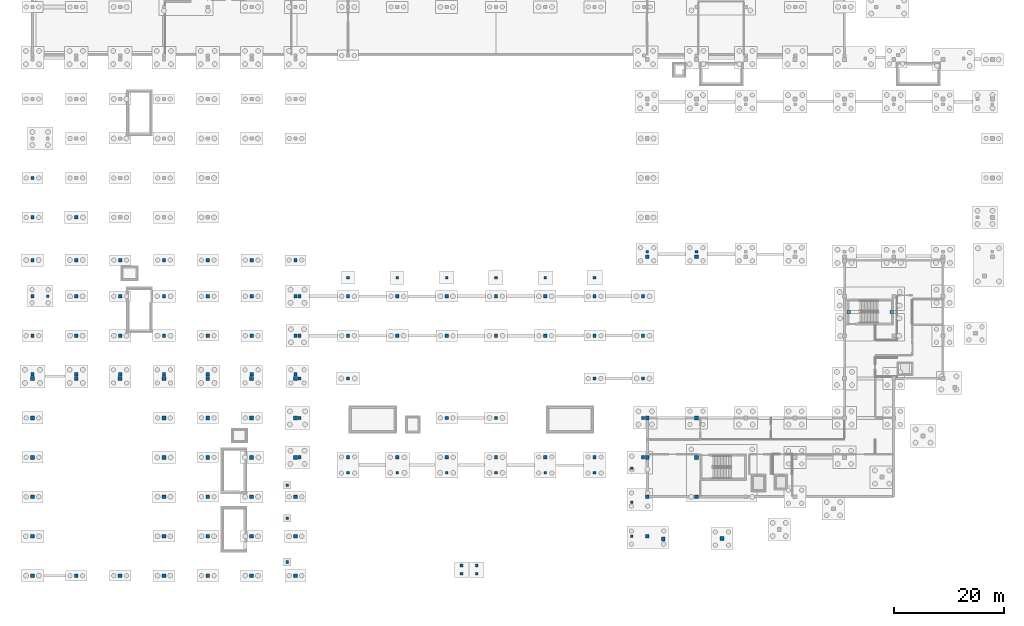
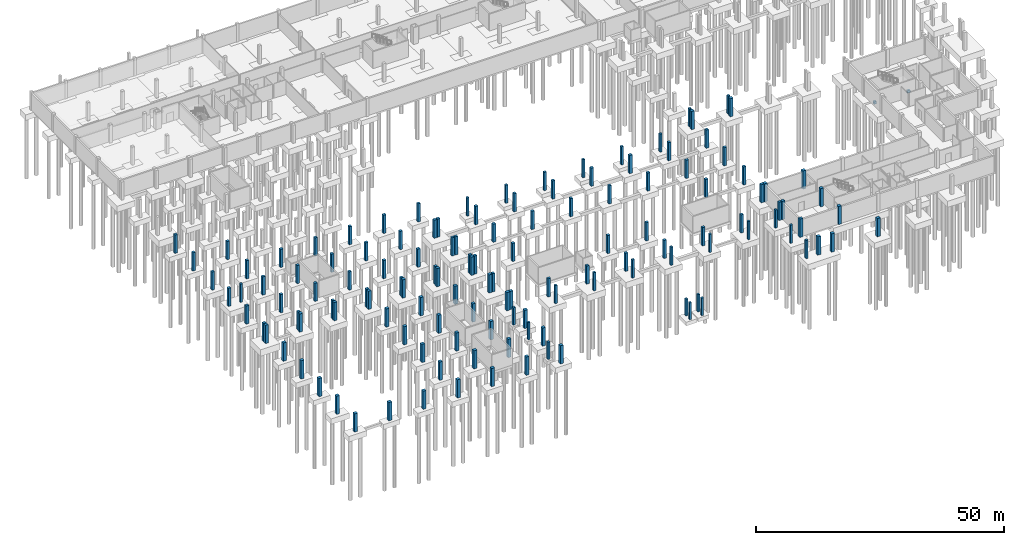
# One storey, part 13 of 36: 133 columns, 2 footings.
"""IFC4 building model written with IfcOpenShell, lengths in metres."""

import ifcopenshell
import ifcopenshell.guid

model = None  # the IFC model being written
_history = None  # IfcOwnerHistory: only IFC2X3 demands one
_inside = {}  # id of a spatial element -> (the spatial element, [elements in it])
_under = {}  # id of a project, library or spatial element -> (it, [spatial elements below it])
_declared = {}  # id of a project -> (the project, [libraries it declares])
_typed = {}  # id of a type object -> (the type object, [elements of that type])
_made_of = {}  # id of a material, layer set ... -> (it, [elements and type objects made of it])


def new_model(schema):
    """Start an empty IFC model of exactly this schema.

    Asked for "IFC4X3", IfcOpenShell would pick the latest addendum, in which some entities
    have other attributes; the version numbers below select the first issue.
    IFC2X3 requires an IfcOwnerHistory on every rooted entity: one is made here for all.
    """
    global model, _history
    if schema == "IFC4X3":
        model = ifcopenshell.file(schema_version=(4, 3, 0, 0))
    else:
        model = ifcopenshell.file(schema=schema)
    _inside.clear()
    _under.clear()
    _declared.clear()
    _typed.clear()
    _made_of.clear()
    _history = None
    if model.schema == "IFC2X3":
        org = make("IfcOrganization", Name="unknown")
        user = make(
            "IfcPersonAndOrganization",
            ThePerson=make("IfcPerson", FamilyName="unknown"),
            TheOrganization=org,
        )
        app = make(
            "IfcApplication",
            ApplicationDeveloper=org,
            Version="unknown",
            ApplicationFullName="unknown",
            ApplicationIdentifier="unknown",
        )
        _history = make(
            "IfcOwnerHistory",
            OwningUser=user,
            OwningApplication=app,
            ChangeAction="ADDED",
            CreationDate=0,
        )
    return model


def make(cls, **values):
    """One entity of the class cls with the attributes given. An attribute that is None is left unset."""
    return model.create_entity(
        cls, **{name: value for name, value in values.items() if value is not None}
    )


def rooted(cls, **values):
    """An entity with a GlobalId (a new one), such as an element, a storey or a relation."""
    return make(cls, GlobalId=ifcopenshell.guid.new(), OwnerHistory=_history, **values)


def si_unit(unit_type, name, prefix=None):
    """IfcSIUnit, for example si_unit("LENGTHUNIT", "METRE", prefix="MILLI")."""
    return make("IfcSIUnit", UnitType=unit_type, Prefix=prefix, Name=name)


def assignment(units):
    """IfcUnitAssignment: the units of a project."""
    return None if units is None else make("IfcUnitAssignment", Units=units)


def point(xyz):
    """IfcCartesianPoint."""
    return None if xyz is None else make("IfcCartesianPoint", Coordinates=xyz)


def direction(xyz):
    """IfcDirection."""
    return None if xyz is None else make("IfcDirection", DirectionRatios=xyz)


def frame(location, z_axis=None, x_axis=None):
    """IfcAxis2Placement3D, a coordinate frame: its origin and axes. An axis left out is left unset."""
    return make(
        "IfcAxis2Placement3D",
        Location=point(location),
        Axis=direction(z_axis),
        RefDirection=direction(x_axis),
    )


def frame_2d(location, x_axis=None):
    """IfcAxis2Placement2D, a coordinate frame in the plane: its origin and x axis."""
    return make(
        "IfcAxis2Placement2D", Location=point(location), RefDirection=direction(x_axis)
    )


def origin():
    """The frame at (0, 0, 0) with its axes left unset."""
    return frame((0.0, 0.0, 0.0))


def origin_2d():
    """The frame at (0, 0) in the plane with its x axis left unset."""
    return frame_2d((0.0, 0.0))


def place(relative_to, where):
    """IfcLocalPlacement: puts the frame where relative to a parent placement (None: the world)."""
    return make(
        "IfcLocalPlacement", PlacementRelTo=relative_to, RelativePlacement=where
    )


def context(
    kind, dimensions, precision=None, world=None, true_north=None, identifier=None
):
    """IfcGeometricRepresentationContext, for example the 3D "Model" context."""
    return make(
        "IfcGeometricRepresentationContext",
        ContextIdentifier=identifier,
        ContextType=kind,
        CoordinateSpaceDimension=dimensions,
        Precision=precision,
        WorldCoordinateSystem=world,
        TrueNorth=true_north,
    )


def subcontext(parent, identifier, kind, view, scale=None):
    """IfcGeometricRepresentationSubContext, for example "Body" below "Model"."""
    return make(
        "IfcGeometricRepresentationSubContext",
        ContextIdentifier=identifier,
        ContextType=kind,
        ParentContext=parent,
        TargetScale=scale,
        TargetView=view,
    )


def project(units=None, contexts=None):
    """IfcProject with its units and contexts."""
    return rooted(
        "IfcProject",
        Name="project",
        RepresentationContexts=contexts,
        UnitsInContext=assignment(units),
    )


def spatial(cls, under=None, at=None, **own):
    """A site, building, storey or space (cls), placed at a placement, below another one or the project."""
    s = rooted(cls, ObjectPlacement=at, **own)
    if under is not None:
        _under.setdefault(under.id(), (under, []))[1].append(s)
    return s


def profile(cls, at=None, kind="AREA", **sizes):
    """A parametric profile (cls). Its sizes go by their IFC names, for example OverallWidth=200.0."""
    return make(cls, ProfileType=kind, Position=at, **sizes)


def rectangle(**sizes):
    """IfcRectangleProfileDef."""
    return profile("IfcRectangleProfileDef", **sizes)


def extrude(swept, where, along, depth):
    """IfcExtrudedAreaSolid: the profile swept, set in the frame where, extruded along a direction by depth."""
    return make(
        "IfcExtrudedAreaSolid",
        SweptArea=swept,
        Position=where,
        ExtrudedDirection=direction(along),
        Depth=depth,
    )


def shape(context_of_items, identifier, shape_type, items):
    """IfcShapeRepresentation: the items that make up one representation, for example the "Body"."""
    return make(
        "IfcShapeRepresentation",
        ContextOfItems=context_of_items,
        RepresentationIdentifier=identifier,
        RepresentationType=shape_type,
        Items=items,
    )


def material(Name=None, Category=None):
    """IfcMaterial."""
    return make("IfcMaterial", Name=Name, Category=Category)


def layer(
    of_material, thickness, ventilated=None, Name=None, Category=None, Priority=None
):
    """IfcMaterialLayer: one layer of a wall or slab, of a material (None: an air gap)."""
    return make(
        "IfcMaterialLayer",
        Material=of_material,
        LayerThickness=thickness,
        IsVentilated=ventilated,
        Name=Name,
        Category=Category,
        Priority=Priority,
    )


def layer_set(layers, Name=None):
    """IfcMaterialLayerSet."""
    return make("IfcMaterialLayerSet", MaterialLayers=layers, LayerSetName=Name)


def material_profile(
    of_material, cross_section, Name=None, Category=None, Priority=None
):
    """IfcMaterialProfile: a cross section and its material."""
    return make(
        "IfcMaterialProfile",
        Name=Name,
        Material=of_material,
        Profile=cross_section,
        Priority=Priority,
        Category=Category,
    )


def profile_set(profiles, Name=None, composite=None):
    """IfcMaterialProfileSet."""
    return make(
        "IfcMaterialProfileSet",
        Name=Name,
        MaterialProfiles=profiles,
        CompositeProfile=composite,
    )


def made_of(thing, what):
    """Note that an element or type object is made of a material, layer set ...; save() writes the relation."""
    if what is not None:
        _made_of.setdefault(what.id(), (what, []))[1].append(thing)
    return thing


def type_object(cls, material=None, **own):
    """A type object (cls), such as IfcWallType, which elements share."""
    return made_of(rooted(cls, **own), material)


def element(
    cls,
    number,
    at=None,
    inside=None,
    cuts=None,
    type_object=None,
    material=None,
    context=None,
    identifier="Body",
    shape_type=None,
    held_by="IfcProductDefinitionShape",
    body=None,
    shapes=None,
    **own,
):
    """One element of the class cls, such as IfcWall. Its Tag is "e" and its number.

    at: its placement. inside: the storey or other place that contains it. cuts: it is an
    opening in that element (IfcRelVoidsElement). A single representation is given by context,
    identifier, shape_type and body (its items); several are given by shapes. held_by: the class
    of the entity that holds the representations. save() writes the other relations.
    """
    e = rooted(cls, Tag="e%d" % number, ObjectPlacement=at, **own)
    if body is not None:
        shapes = [shape(context, identifier, shape_type, body)]
    if shapes is not None:
        e.Representation = make(held_by, Representations=shapes)
    if inside is not None:
        _inside.setdefault(inside.id(), (inside, []))[1].append(e)
    if cuts is not None:
        rooted(
            "IfcRelVoidsElement", RelatingBuildingElement=cuts, RelatedOpeningElement=e
        )
    if type_object is not None:
        _typed.setdefault(type_object.id(), (type_object, []))[1].append(e)
    return made_of(e, material)


def aggregate(whole, parts):
    """IfcRelAggregates: a whole, such as a stair, and the parts it consists of."""
    return rooted("IfcRelAggregates", RelatingObject=whole, RelatedObjects=parts)


def save(model, path):
    """Write the relations noted so far, then the file.

    IfcRelAggregates (storeys below a building ...), IfcRelContainedInSpatialStructure (elements
    in a storey), IfcRelDefinesByType, IfcRelAssociatesMaterial and IfcRelDeclares: one each for
    every whole, place, type object, material and project.
    """
    for whole, parts in _under.values():
        aggregate(whole, parts)
    for where, things in _inside.values():
        rooted(
            "IfcRelContainedInSpatialStructure",
            RelatedElements=things,
            RelatingStructure=where,
        )
    for kind, things in _typed.values():
        rooted("IfcRelDefinesByType", RelatedObjects=things, RelatingType=kind)
    for what, things in _made_of.values():
        rooted("IfcRelAssociatesMaterial", RelatedObjects=things, RelatingMaterial=what)
    for by, libraries in _declared.values():
        rooted("IfcRelDeclares", RelatingContext=by, RelatedDefinitions=libraries)
    model.write(path)


model = new_model("IFC4")

# Units and contexts
model_context = context("Model", 3, precision=1e-05, world=origin(), true_north=direction((0.0, 1.0)))
body_context = subcontext(model_context, "Body", "Model", "MODEL_VIEW")
ifc_project = project(units=[si_unit("LENGTHUNIT", "METRE"), si_unit("AREAUNIT", "SQUARE_METRE"), si_unit("VOLUMEUNIT", "CUBIC_METRE"), si_unit("PLANEANGLEUNIT", "RADIAN"), si_unit("MASSUNIT", "GRAM", prefix="KILO")], contexts=[model_context])

# Site, building, storey
site_placement = place(None, origin())
site = spatial("IfcSite", under=ifc_project, at=site_placement, CompositionType="ELEMENT")
building_placement = place(site_placement, origin())
building = spatial("IfcBuilding", under=site, at=building_placement, Name="Chiffa Square Polytechnic", CompositionType="ELEMENT")
storey_placement = place(building_placement, frame((0.0, 0.0, -4.5)))
storey = spatial("IfcBuildingStorey", under=building, at=storey_placement, Name="B1", CompositionType="ELEMENT", Elevation=-4.5)

# Footings
ifc_material_1 = material(Name="Concrete C35/45", Category="concrete")
ifc_layer = layer(ifc_material_1, 0.60009765625, Name="Concrete C35/45")
ifc_layer_set = layer_set([ifc_layer], Name="Concrete C35/45")
footing_type = type_object("IfcFootingType", Name="FTG-PAD-620X484X600", PredefinedType="PAD_FOOTING", material=ifc_layer_set)
for number, where, z_axis, x_axis, name in (
    (1, (148.97998046875, 48.136962890625, -0.60009765625), (0.0, 0.0, 1.0), (1.0, 0.0, 0.0), "Core pad footing PFG-CORE-CORE-V1B-W1"),
    (2, (156.820068359375, 48.136962890625, -0.60009765625), (0.0, 0.0, 1.0), (1.0, 0.0, 0.0), "Core pad footing PFG-CORE-CORE-V1B-E1"),
):
    element("IfcFooting", number, at=place(storey_placement, frame(where, z_axis=z_axis, x_axis=x_axis)), inside=storey, type_object=footing_type, Name=name, PredefinedType="PAD_FOOTING", context=body_context, shape_type="SweptSolid", body=[
        extrude(rectangle(XDim=0.6201171875, YDim=0.48388671875, at=origin_2d()), origin(), (0.0, 0.0, 1.0), 0.60009765625),
    ])

# Columns
ifc_material_profile_1 = material_profile(ifc_material_1, rectangle(XDim=0.5, YDim=0.5, at=origin_2d()), Name="RC 500x500")
ifc_profile_set_1 = profile_set([ifc_material_profile_1], Name="Concrete C35/45")
column_type_1 = type_object("IfcColumnType", Name="COL-PIER-500", PredefinedType="PILASTER", material=ifc_profile_set_1)
for number, where, z_axis, x_axis, name in (
    (3, (57.60009765625, 54.39990234375, 0.0), (0.0, 0.0, 1.0), (1.0, 0.0, 0.0), "Courtyard pier CP-CY-01"),
    (4, (66.60009765625, 54.39990234375, 0.0), (0.0, 0.0, 1.0), (1.0, 0.0, 0.0), "Courtyard pier CP-CY-02"),
    (5, (75.60009765625, 54.39990234375, 0.0), (0.0, 0.0, 1.0), (1.0, 0.0, 0.0), "Courtyard pier CP-CY-03"),
    (6, (84.60009765625, 54.39990234375, 0.0), (0.0, 0.0, 1.0), (1.0, 0.0, 0.0), "Courtyard pier CP-CY-04"),
    (7, (93.60009765625, 54.39990234375, 0.0), (0.0, 0.0, 1.0), (1.0, 0.0, 0.0), "Courtyard pier CP-CY-05"),
    (8, (102.60009765625, 54.39990234375, 0.0), (0.0, 0.0, 1.0), (1.0, 0.0, 0.0), "Courtyard pier CP-CY-06"),
    (9, (57.60009765625, 18.800048828125, 0.0), (0.0, 0.0, 1.0), (1.0, 0.0, 0.0), "Civic square north portico pier CP-SQN-01"),
    (10, (66.60009765625, 18.800048828125, 0.0), (0.0, 0.0, 1.0), (1.0, 0.0, 0.0), "Civic square north portico pier CP-SQN-02"),
    (11, (75.60009765625, 18.800048828125, 0.0), (0.0, 0.0, 1.0), (1.0, 0.0, 0.0), "Civic square north portico pier CP-SQN-03"),
    (12, (84.60009765625, 18.800048828125, 0.0), (0.0, 0.0, 1.0), (1.0, 0.0, 0.0), "Civic square north portico pier CP-SQN-04"),
    (13, (93.60009765625, 18.800048828125, 0.0), (0.0, 0.0, 1.0), (1.0, 0.0, 0.0), "Civic square north portico pier CP-SQN-05"),
    (14, (102.60009765625, 18.800048828125, 0.0), (0.0, 0.0, 1.0), (1.0, 0.0, 0.0), "Civic square north portico pier CP-SQN-06"),
    (15, (109.39990234375, 7.199951171875, 0.0), (0.0, 0.0, 1.0), (1.0, 0.0, 0.0), "Civic square east portico pier CP-SQE-01"),
    (16, (109.39990234375, 13.39990234375, 0.0), (0.0, 0.0, 1.0), (1.0, 0.0, 0.0), "Civic square east portico pier CP-SQE-02"),
    (17, (109.39990234375, 19.60009765625, 0.0), (0.0, 0.0, 1.0), (1.0, 0.0, 0.0), "Civic square east portico pier CP-SQE-03"),
    (18, (2.800048828125, 51.0, 0.0), (0.0, 0.0, 1.0), (1.0, 0.0, 0.0), "Apron support pier CP-APR-B1-01"),
    (19, (112.199951171875, 59.14990234375, 0.0), (0.0, 0.0, 1.0), (1.0, 0.0, 0.0), "Crane stanchion foundation pier C-V2-CRN-B1-112-S"),
    (20, (121.199951171875, 59.14990234375, 0.0), (0.0, 0.0, 1.0), (1.0, 0.0, 0.0), "Crane stanchion foundation pier C-V2-CRN-B1-121-S"),
):
    element("IfcColumn", number, at=place(storey_placement, frame(where, z_axis=z_axis, x_axis=x_axis)), inside=storey, type_object=column_type_1, Name=name, PredefinedType="PILASTER", context=body_context, shape_type="SweptSolid", body=[
        extrude(rectangle(XDim=0.5, YDim=0.5, at=origin_2d()), origin(), (0.0, 0.0, 1.0), 4.5),
    ])
for number, where, z_axis, x_axis, name in (
    (21, (46.5, 2.5, 0.0), (0.0, 0.0, 1.0), (1.0, 0.0, 0.0), "Apron slab support pier CP-APR-SUP-01"),
    (22, (46.5, 10.5, 0.0), (0.0, 0.0, 1.0), (1.0, 0.0, 0.0), "Apron slab support pier CP-APR-SUP-02"),
    (23, (46.5, 16.5, 0.0), (0.0, 0.0, 1.0), (1.0, 0.0, 0.0), "Apron slab support pier CP-APR-SUP-03"),
):
    element("IfcColumn", number, at=place(storey_placement, frame(where, z_axis=z_axis, x_axis=x_axis)), inside=storey, type_object=column_type_1, Name=name, PredefinedType="PILASTER", context=body_context, shape_type="SweptSolid", body=[
        extrude(rectangle(XDim=0.5, YDim=0.5, at=origin_2d()), origin(), (0.0, 0.0, 1.0), 4.260009765625),
    ])
for number, where, z_axis, x_axis, name in (
    (24, (78.300048828125, 0.35009765625, 0.0), (0.0, 0.0, 1.0), (1.0, 0.0, 0.0), "Pedestrian ramp support pier CP-PED-RAMP-01A"),
    (25, (78.300048828125, 1.85009765625, 0.0), (0.0, 0.0, 1.0), (1.0, 0.0, 0.0), "Pedestrian ramp support pier CP-PED-RAMP-01B"),
):
    element("IfcColumn", number, at=place(storey_placement, frame(where, z_axis=z_axis, x_axis=x_axis)), inside=storey, type_object=column_type_1, Name=name, PredefinedType="PILASTER", context=body_context, shape_type="SweptSolid", body=[
        extrude(rectangle(XDim=0.5, YDim=0.5, at=origin_2d()), origin(), (0.0, 0.0, 1.0), 4.159912109375),
    ])
for number, where, z_axis, x_axis, name in (
    (26, (81.10009765625, 0.35009765625, 0.0), (0.0, 0.0, 1.0), (1.0, 0.0, 0.0), "Pedestrian ramp support pier CP-PED-RAMP-02A"),
    (27, (81.10009765625, 1.85009765625, 0.0), (0.0, 0.0, 1.0), (1.0, 0.0, 0.0), "Pedestrian ramp support pier CP-PED-RAMP-02B"),
):
    element("IfcColumn", number, at=place(storey_placement, frame(where, z_axis=z_axis, x_axis=x_axis)), inside=storey, type_object=column_type_1, Name=name, PredefinedType="PILASTER", context=body_context, shape_type="SweptSolid", body=[
        extrude(rectangle(XDim=0.5, YDim=0.5, at=origin_2d()), origin(), (0.0, 0.0, 1.0), 4.31005859375),
    ])
ifc_material_profile_2 = material_profile(ifc_material_1, rectangle(XDim=0.60009765625, YDim=0.60009765625, at=origin_2d()), Name="RC 600x600")
ifc_profile_set_2 = profile_set([ifc_material_profile_2], Name="Concrete C35/45")
column_type_2 = type_object("IfcColumnType", Name="COL-PIER-600", PredefinedType="PILASTER", material=ifc_profile_set_2)
for number, where, z_axis, x_axis, name in (
    (28, (48.75, 21.60009765625, 0.0), (0.0, 0.0, 1.0), (1.0, 0.0, 0.0), "Substructure column C-V4-B1-0488-0216"),
    (29, (48.75, 28.800048828125, 0.0), (0.0, 0.0, 1.0), (1.0, 0.0, 0.0), "Substructure column C-V4-B1-0488-0288"),
    (30, (48.75, 36.0, 0.0), (0.0, 0.0, 1.0), (1.0, 0.0, 0.0), "Substructure column C-V4-B1-0488-0360"),
    (31, (48.75, 43.800048828125, 0.0), (0.0, 0.0, 1.0), (1.0, 0.0, 0.0), "Substructure column C-V4-B1-0488-0438"),
    (32, (48.75, 51.0, 0.0), (0.0, 0.0, 1.0), (1.0, 0.0, 0.0), "Substructure column C-V4-B1-0488-0510"),
    (33, (57.60009765625, 21.60009765625, 0.0), (0.0, 0.0, 1.0), (1.0, 0.0, 0.0), "Substructure column C-V4-B1-0576-0216"),
    (34, (57.60009765625, 36.0, 0.0), (0.0, 0.0, 1.0), (1.0, 0.0, 0.0), "Substructure column C-V4-B1-0576-0360"),
    (35, (57.60009765625, 43.800048828125, 0.0), (0.0, 0.0, 1.0), (1.0, 0.0, 0.0), "Substructure column C-V4-B1-0576-0438"),
    (36, (57.60009765625, 51.0, 0.0), (0.0, 0.0, 1.0), (1.0, 0.0, 0.0), "Substructure column C-V4-B1-0576-0510"),
    (37, (66.60009765625, 21.60009765625, 0.0), (0.0, 0.0, 1.0), (1.0, 0.0, 0.0), "Substructure column C-V4-B1-0666-0216"),
    (38, (66.60009765625, 43.800048828125, 0.0), (0.0, 0.0, 1.0), (1.0, 0.0, 0.0), "Substructure column C-V4-B1-0666-0438"),
    (39, (66.60009765625, 51.0, 0.0), (0.0, 0.0, 1.0), (1.0, 0.0, 0.0), "Substructure column C-V4-B1-0666-0510"),
    (40, (75.60009765625, 21.60009765625, 0.0), (0.0, 0.0, 1.0), (1.0, 0.0, 0.0), "Substructure column C-V4-B1-0756-0216"),
    (41, (75.60009765625, 28.800048828125, 0.0), (0.0, 0.0, 1.0), (1.0, 0.0, 0.0), "Substructure column C-V4-B1-0756-0288"),
    (42, (75.60009765625, 43.800048828125, 0.0), (0.0, 0.0, 1.0), (1.0, 0.0, 0.0), "Substructure column C-V4-B1-0756-0438"),
    (43, (75.60009765625, 51.0, 0.0), (0.0, 0.0, 1.0), (1.0, 0.0, 0.0), "Substructure column C-V4-B1-0756-0510"),
    (44, (84.60009765625, 21.60009765625, 0.0), (0.0, 0.0, 1.0), (1.0, 0.0, 0.0), "Substructure column C-V4-B1-0846-0216"),
    (45, (84.60009765625, 28.800048828125, 0.0), (0.0, 0.0, 1.0), (1.0, 0.0, 0.0), "Substructure column C-V4-B1-0846-0288"),
    (46, (84.60009765625, 43.800048828125, 0.0), (0.0, 0.0, 1.0), (1.0, 0.0, 0.0), "Substructure column C-V4-B1-0846-0438"),
    (47, (84.60009765625, 51.0, 0.0), (0.0, 0.0, 1.0), (1.0, 0.0, 0.0), "Substructure column C-V4-B1-0846-0510"),
    (48, (93.60009765625, 21.60009765625, 0.0), (0.0, 0.0, 1.0), (1.0, 0.0, 0.0), "Substructure column C-V4-B1-0936-0216"),
    (49, (93.60009765625, 43.800048828125, 0.0), (0.0, 0.0, 1.0), (1.0, 0.0, 0.0), "Substructure column C-V4-B1-0936-0438"),
    (50, (93.60009765625, 51.0, 0.0), (0.0, 0.0, 1.0), (1.0, 0.0, 0.0), "Substructure column C-V4-B1-0936-0510"),
    (51, (102.60009765625, 21.60009765625, 0.0), (0.0, 0.0, 1.0), (1.0, 0.0, 0.0), "Substructure column C-V4-B1-1026-0216"),
    (52, (102.60009765625, 36.0, 0.0), (0.0, 0.0, 1.0), (1.0, 0.0, 0.0), "Substructure column C-V4-B1-1026-0360"),
    (53, (102.60009765625, 43.800048828125, 0.0), (0.0, 0.0, 1.0), (1.0, 0.0, 0.0), "Substructure column C-V4-B1-1026-0438"),
    (54, (102.60009765625, 51.0, 0.0), (0.0, 0.0, 1.0), (1.0, 0.0, 0.0), "Substructure column C-V4-B1-1026-0510"),
    (55, (111.449951171875, 21.60009765625, 0.0), (0.0, 0.0, 1.0), (1.0, 0.0, 0.0), "Substructure column C-V4-B1-1114-0216"),
    (56, (111.449951171875, 28.800048828125, 0.0), (0.0, 0.0, 1.0), (1.0, 0.0, 0.0), "Substructure column C-V4-B1-1114-0288"),
    (57, (111.449951171875, 36.0, 0.0), (0.0, 0.0, 1.0), (1.0, 0.0, 0.0), "Substructure column C-V4-B1-1114-0360"),
    (58, (111.449951171875, 43.800048828125, 0.0), (0.0, 0.0, 1.0), (1.0, 0.0, 0.0), "Substructure column C-V4-B1-1114-0438"),
    (59, (111.449951171875, 51.0, 0.0), (0.0, 0.0, 1.0), (1.0, 0.0, 0.0), "Substructure column C-V4-B1-1114-0510"),
    (60, (0.0, 36.75, 0.0), (0.0, 0.0, 1.0), (1.0, 0.0, 0.0), "Substructure column C-V6-B1-0000-0368"),
    (61, (0.0, 43.800048828125, 0.0), (0.0, 0.0, 1.0), (1.0, 0.0, 0.0), "Substructure column C-V6-B1-0000-0438"),
    (62, (0.0, 51.0, 0.0), (0.0, 0.0, 1.0), (1.0, 0.0, 0.0), "Substructure column C-V6-B1-0000-0510"),
    (63, (0.0, 57.60009765625, 0.0), (0.0, 0.0, 1.0), (1.0, 0.0, 0.0), "Substructure column C-V6-B1-0000-0576"),
    (64, (0.0, 65.39990234375, 0.0), (0.0, 0.0, 1.0), (1.0, 0.0, 0.0), "Substructure column C-V6-B1-0000-0654"),
    (65, (0.0, 72.60009765625, 0.0), (0.0, 0.0, 1.0), (1.0, 0.0, 0.0), "Substructure column C-V6-B1-0000-0726"),
    (66, (8.0, 36.75, 0.0), (0.0, 0.0, 1.0), (1.0, 0.0, 0.0), "Substructure column C-V6-B1-0080-0368"),
    (67, (8.0, 43.800048828125, 0.0), (0.0, 0.0, 1.0), (1.0, 0.0, 0.0), "Substructure column C-V6-B1-0080-0438"),
    (68, (8.0, 51.0, 0.0), (0.0, 0.0, 1.0), (1.0, 0.0, 0.0), "Substructure column C-V6-B1-0080-0510"),
    (69, (8.0, 57.60009765625, 0.0), (0.0, 0.0, 1.0), (1.0, 0.0, 0.0), "Substructure column C-V6-B1-0080-0576"),
    (70, (8.0, 65.39990234375, 0.0), (0.0, 0.0, 1.0), (1.0, 0.0, 0.0), "Substructure column C-V6-B1-0080-0654"),
    (71, (16.0, 36.75, 0.0), (0.0, 0.0, 1.0), (1.0, 0.0, 0.0), "Substructure column C-V6-B1-0160-0368"),
    (72, (16.0, 43.800048828125, 0.0), (0.0, 0.0, 1.0), (1.0, 0.0, 0.0), "Substructure column C-V6-B1-0160-0438"),
    (73, (16.0, 51.0, 0.0), (0.0, 0.0, 1.0), (1.0, 0.0, 0.0), "Substructure column C-V6-B1-0160-0510"),
    (74, (16.0, 57.60009765625, 0.0), (0.0, 0.0, 1.0), (1.0, 0.0, 0.0), "Substructure column C-V6-B1-0160-0576"),
    (75, (24.0, 36.75, 0.0), (0.0, 0.0, 1.0), (1.0, 0.0, 0.0), "Substructure column C-V6-B1-0240-0368"),
    (76, (24.0, 43.800048828125, 0.0), (0.0, 0.0, 1.0), (1.0, 0.0, 0.0), "Substructure column C-V6-B1-0240-0438"),
    (77, (24.0, 51.0, 0.0), (0.0, 0.0, 1.0), (1.0, 0.0, 0.0), "Substructure column C-V6-B1-0240-0510"),
    (78, (24.0, 57.60009765625, 0.0), (0.0, 0.0, 1.0), (1.0, 0.0, 0.0), "Substructure column C-V6-B1-0240-0576"),
    (79, (32.0, 36.75, 0.0), (0.0, 0.0, 1.0), (1.0, 0.0, 0.0), "Substructure column C-V6-B1-0320-0368"),
    (80, (32.0, 43.800048828125, 0.0), (0.0, 0.0, 1.0), (1.0, 0.0, 0.0), "Substructure column C-V6-B1-0320-0438"),
    (81, (32.0, 51.0, 0.0), (0.0, 0.0, 1.0), (1.0, 0.0, 0.0), "Substructure column C-V6-B1-0320-0510"),
    (82, (32.0, 57.60009765625, 0.0), (0.0, 0.0, 1.0), (1.0, 0.0, 0.0), "Substructure column C-V6-B1-0320-0576"),
    (83, (40.0, 36.75, 0.0), (0.0, 0.0, 1.0), (1.0, 0.0, 0.0), "Substructure column C-V6-B1-0400-0368"),
    (84, (40.0, 43.800048828125, 0.0), (0.0, 0.0, 1.0), (1.0, 0.0, 0.0), "Substructure column C-V6-B1-0400-0438"),
    (85, (40.0, 51.0, 0.0), (0.0, 0.0, 1.0), (1.0, 0.0, 0.0), "Substructure column C-V6-B1-0400-0510"),
    (86, (40.0, 57.60009765625, 0.0), (0.0, 0.0, 1.0), (1.0, 0.0, 0.0), "Substructure column C-V6-B1-0400-0576"),
    (87, (48.0, 36.75, 0.0), (0.0, 0.0, 1.0), (1.0, 0.0, 0.0), "Substructure column C-V6-B1-0480-0368"),
    (88, (48.0, 43.800048828125, 0.0), (0.0, 0.0, 1.0), (1.0, 0.0, 0.0), "Substructure column C-V6-B1-0480-0438"),
    (89, (48.0, 51.0, 0.0), (0.0, 0.0, 1.0), (1.0, 0.0, 0.0), "Substructure column C-V6-B1-0480-0510"),
    (90, (48.0, 57.60009765625, 0.0), (0.0, 0.0, 1.0), (1.0, 0.0, 0.0), "Substructure column C-V6-B1-0480-0576"),
):
    element("IfcColumn", number, at=place(storey_placement, frame(where, z_axis=z_axis, x_axis=x_axis)), inside=storey, type_object=column_type_2, Name=name, PredefinedType="PILASTER", context=body_context, shape_type="SweptSolid", body=[
        extrude(rectangle(XDim=0.60009765625, YDim=0.60009765625, at=origin_2d()), origin(), (0.0, 0.0, 1.0), 4.5),
    ])
ifc_material_profile_3 = material_profile(ifc_material_1, rectangle(XDim=0.699951171875, YDim=0.699951171875, at=origin_2d()), Name="RC 700x700")
ifc_profile_set_3 = profile_set([ifc_material_profile_3], Name="Concrete C35/45")
column_type_3 = type_object("IfcColumnType", Name="COL-PIER-700", PredefinedType="PILASTER", material=ifc_profile_set_3)
for number, where, z_axis, x_axis, name in (
    (91, (112.199951171875, 7.199951171875, 0.0), (0.0, 0.0, 1.0), (1.0, 0.0, 0.0), "Substructure column C-V1-B1-1122-0072"),
    (92, (112.199951171875, 58.199951171875, 0.0), (0.0, 0.0, 1.0), (1.0, 0.0, 0.0), "Substructure column C-V2-B1-1122-0582"),
    (93, (121.199951171875, 58.199951171875, 0.0), (0.0, 0.0, 1.0), (1.0, 0.0, 0.0), "Substructure column C-V2-B1-1212-0582"),
    (94, (0.0, 0.0, 0.0), (0.0, 0.0, 1.0), (1.0, 0.0, 0.0), "Substructure column C-V3-B1-0000-0000"),
    (95, (0.0, 7.199951171875, 0.0), (0.0, 0.0, 1.0), (1.0, 0.0, 0.0), "Substructure column C-V3-B1-0000-0072"),
    (96, (0.0, 14.39990234375, 0.0), (0.0, 0.0, 1.0), (1.0, 0.0, 0.0), "Substructure column C-V3-B1-0000-0144"),
    (97, (0.0, 21.60009765625, 0.0), (0.0, 0.0, 1.0), (1.0, 0.0, 0.0), "Substructure column C-V3-B1-0000-0216"),
    (98, (0.0, 28.800048828125, 0.0), (0.0, 0.0, 1.0), (1.0, 0.0, 0.0), "Substructure column C-V3-B1-0000-0288"),
    (99, (0.0, 36.0, 0.0), (0.0, 0.0, 1.0), (1.0, 0.0, 0.0), "Substructure column C-V3-B1-0000-0360"),
    (100, (8.0, 0.0, 0.0), (0.0, 0.0, 1.0), (1.0, 0.0, 0.0), "Substructure column C-V3-B1-0080-0000"),
    (101, (8.0, 36.0, 0.0), (0.0, 0.0, 1.0), (1.0, 0.0, 0.0), "Substructure column C-V3-B1-0080-0360"),
    (102, (16.0, 0.0, 0.0), (0.0, 0.0, 1.0), (1.0, 0.0, 0.0), "Substructure column C-V3-B1-0160-0000"),
    (103, (16.0, 36.0, 0.0), (0.0, 0.0, 1.0), (1.0, 0.0, 0.0), "Substructure column C-V3-B1-0160-0360"),
    (104, (24.0, 0.0, 0.0), (0.0, 0.0, 1.0), (1.0, 0.0, 0.0), "Substructure column C-V3-B1-0240-0000"),
    (105, (24.0, 7.199951171875, 0.0), (0.0, 0.0, 1.0), (1.0, 0.0, 0.0), "Substructure column C-V3-B1-0240-0072"),
    (106, (24.0, 14.39990234375, 0.0), (0.0, 0.0, 1.0), (1.0, 0.0, 0.0), "Substructure column C-V3-B1-0240-0144"),
    (107, (24.0, 21.60009765625, 0.0), (0.0, 0.0, 1.0), (1.0, 0.0, 0.0), "Substructure column C-V3-B1-0240-0216"),
    (108, (24.0, 28.800048828125, 0.0), (0.0, 0.0, 1.0), (1.0, 0.0, 0.0), "Substructure column C-V3-B1-0240-0288"),
    (109, (24.0, 36.0, 0.0), (0.0, 0.0, 1.0), (1.0, 0.0, 0.0), "Substructure column C-V3-B1-0240-0360"),
    (110, (32.0, 0.0, 0.0), (0.0, 0.0, 1.0), (1.0, 0.0, 0.0), "Substructure column C-V3-B1-0320-0000"),
    (111, (32.0, 7.199951171875, 0.0), (0.0, 0.0, 1.0), (1.0, 0.0, 0.0), "Substructure column C-V3-B1-0320-0072"),
    (112, (32.0, 14.39990234375, 0.0), (0.0, 0.0, 1.0), (1.0, 0.0, 0.0), "Substructure column C-V3-B1-0320-0144"),
    (113, (32.0, 21.60009765625, 0.0), (0.0, 0.0, 1.0), (1.0, 0.0, 0.0), "Substructure column C-V3-B1-0320-0216"),
    (114, (32.0, 28.800048828125, 0.0), (0.0, 0.0, 1.0), (1.0, 0.0, 0.0), "Substructure column C-V3-B1-0320-0288"),
    (115, (32.0, 36.0, 0.0), (0.0, 0.0, 1.0), (1.0, 0.0, 0.0), "Substructure column C-V3-B1-0320-0360"),
    (116, (40.0, 0.0, 0.0), (0.0, 0.0, 1.0), (1.0, 0.0, 0.0), "Substructure column C-V3-B1-0400-0000"),
    (117, (40.0, 7.199951171875, 0.0), (0.0, 0.0, 1.0), (1.0, 0.0, 0.0), "Substructure column C-V3-B1-0400-0072"),
    (118, (40.0, 14.39990234375, 0.0), (0.0, 0.0, 1.0), (1.0, 0.0, 0.0), "Substructure column C-V3-B1-0400-0144"),
    (119, (40.0, 21.60009765625, 0.0), (0.0, 0.0, 1.0), (1.0, 0.0, 0.0), "Substructure column C-V3-B1-0400-0216"),
    (120, (40.0, 28.800048828125, 0.0), (0.0, 0.0, 1.0), (1.0, 0.0, 0.0), "Substructure column C-V3-B1-0400-0288"),
    (121, (40.0, 36.0, 0.0), (0.0, 0.0, 1.0), (1.0, 0.0, 0.0), "Substructure column C-V3-B1-0400-0360"),
    (122, (48.0, 0.0, 0.0), (0.0, 0.0, 1.0), (1.0, 0.0, 0.0), "Substructure column C-V3-B1-0480-0000"),
    (123, (48.0, 7.199951171875, 0.0), (0.0, 0.0, 1.0), (1.0, 0.0, 0.0), "Substructure column C-V3-B1-0480-0072"),
    (124, (48.0, 14.39990234375, 0.0), (0.0, 0.0, 1.0), (1.0, 0.0, 0.0), "Substructure column C-V3-B1-0480-0144"),
    (125, (48.0, 21.60009765625, 0.0), (0.0, 0.0, 1.0), (1.0, 0.0, 0.0), "Substructure column C-V3-B1-0480-0216"),
    (126, (48.0, 28.800048828125, 0.0), (0.0, 0.0, 1.0), (1.0, 0.0, 0.0), "Substructure column C-V3-B1-0480-0288"),
    (127, (48.0, 36.0, 0.0), (0.0, 0.0, 1.0), (1.0, 0.0, 0.0), "Substructure column C-V3-B1-0480-0360"),
    (128, (115.137939453125, 6.7080078125, 0.0), (0.0, 0.0, 1.0), (1.0, 0.0, 0.0), "Prow V-column foundation pier CP-V1-VB-01"),
    (129, (125.85009765625, 6.778076171875, 0.0), (0.0, 0.0, 1.0), (1.0, 0.0, 0.0), "Prow V-column foundation pier CP-V1-VB-02"),
):
    element("IfcColumn", number, at=place(storey_placement, frame(where, z_axis=z_axis, x_axis=x_axis)), inside=storey, type_object=column_type_3, Name=name, PredefinedType="PILASTER", context=body_context, shape_type="SweptSolid", body=[
        extrude(rectangle(XDim=0.699951171875, YDim=0.699951171875, at=origin_2d()), origin(), (0.0, 0.0, 1.0), 4.5),
    ])
ifc_material_2 = material(Name="Concrete C40/50", Category="concrete")
ifc_material_profile_4 = material_profile(ifc_material_2, rectangle(XDim=0.699951171875, YDim=0.699951171875, at=origin_2d()), Name="RC 700x700")
ifc_profile_set_4 = profile_set([ifc_material_profile_4], Name="Concrete C40/50")
column_type_4 = type_object("IfcColumnType", Name="COL-RC-700", PredefinedType="COLUMN", material=ifc_profile_set_4)
for number, where, z_axis, x_axis, name in (
    (130, (112.199951171875, 14.39990234375, 0.0), (0.0, 0.0, 1.0), (1.0, 0.0, 0.0), "Substructure column C-V1-B1-1122-0144"),
    (131, (112.199951171875, 21.60009765625, 0.0), (0.0, 0.0, 1.0), (1.0, 0.0, 0.0), "Substructure column C-V1-B1-1122-0216"),
    (132, (112.199951171875, 28.800048828125, 0.0), (0.0, 0.0, 1.0), (1.0, 0.0, 0.0), "Substructure column C-V1-B1-1122-0288"),
    (133, (121.199951171875, 14.39990234375, 0.0), (0.0, 0.0, 1.0), (1.0, 0.0, 0.0), "Substructure column C-V1-B1-1212-0144"),
    (134, (121.199951171875, 21.60009765625, 0.0), (0.0, 0.0, 1.0), (1.0, 0.0, 0.0), "Substructure column C-V1-B1-1212-0216"),
    (135, (121.199951171875, 28.800048828125, 0.0), (0.0, 0.0, 1.0), (1.0, 0.0, 0.0), "Substructure column C-V1-B1-1212-0288"),
):
    element("IfcColumn", number, at=place(storey_placement, frame(where, z_axis=z_axis, x_axis=x_axis)), inside=storey, type_object=column_type_4, Name=name, PredefinedType="COLUMN", context=body_context, shape_type="SweptSolid", body=[
        extrude(rectangle(XDim=0.699951171875, YDim=0.699951171875, at=origin_2d()), origin(), (0.0, 0.0, 1.0), 4.5),
    ])

save(model, "model.ifc")
